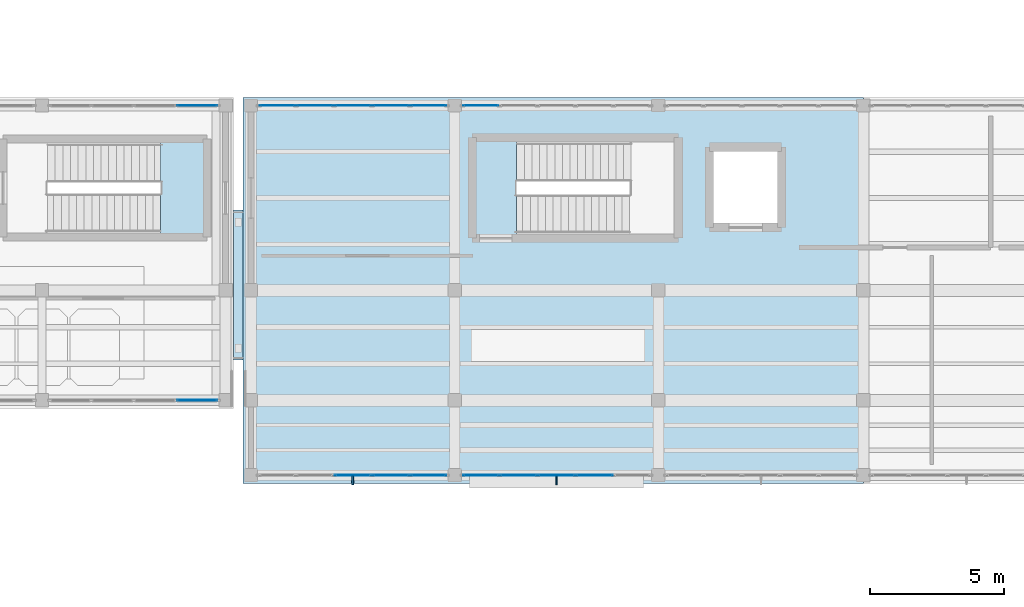
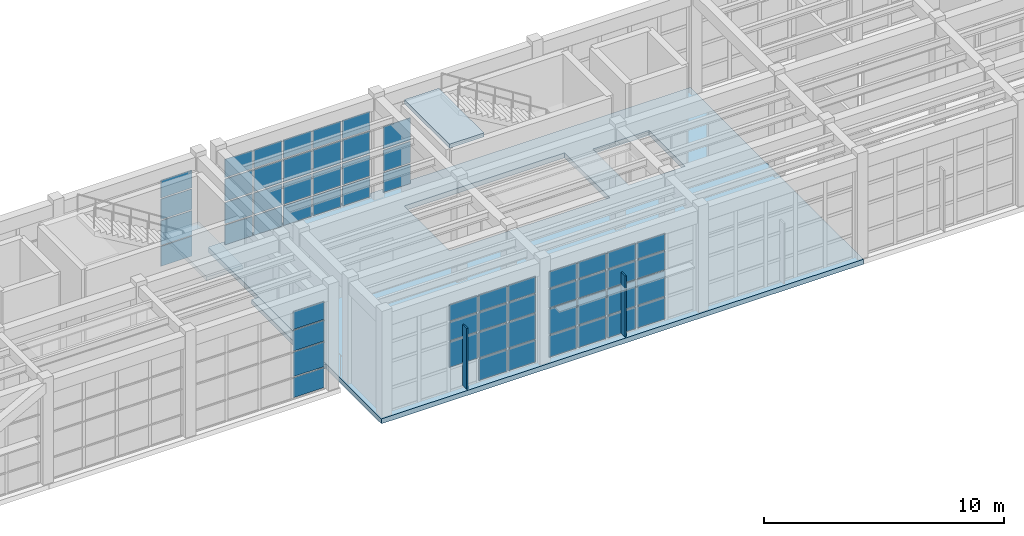
# One storey, part 69 of 103: 60 plates, 4 slabs, 8 elements without a shape of their own.
"""IFC4 building model written with IfcOpenShell, lengths in metres."""

from ifc_helpers import new_model, si_unit, direction, frame, origin, origin_2d, place, context, subcontext, project, spatial, polyline, rectangle, outline, extrude, material, layer, layer_set, type_object, element, aggregate, save


model = new_model("IFC4")

# Units and contexts
model_context = context("Model", 3, precision=1e-05, world=origin(), true_north=direction((0.0, 1.0)))
body_context = subcontext(model_context, "Body", "Model", "MODEL_VIEW")
ifc_project = project(units=[si_unit("LENGTHUNIT", "METRE"), si_unit("AREAUNIT", "SQUARE_METRE"), si_unit("VOLUMEUNIT", "CUBIC_METRE"), si_unit("PLANEANGLEUNIT", "RADIAN"), si_unit("MASSUNIT", "GRAM", prefix="KILO")], contexts=[model_context])

# Site, building, storey
site_placement = place(None, origin())
site = spatial("IfcSite", under=ifc_project, at=site_placement, CompositionType="ELEMENT")
building_placement = place(site_placement, origin())
building = spatial("IfcBuilding", under=site, at=building_placement, Name="Candilejo Ridge Gondola Terminal", CompositionType="ELEMENT")
storey_placement = place(building_placement, frame((0.0, 0.0, 9.0)))
storey = spatial("IfcBuildingStorey", under=building, at=storey_placement, Name="L02", CompositionType="ELEMENT", Elevation=9.0)

# Curtain wall, plates
ifc_material_1 = material(Name="Anodised aluminium AA 6063-T6", Category="aluminium")
ifc_layer_1 = layer(ifc_material_1, 0.169921875)
ifc_layer_set_1 = layer_set([ifc_layer_1], Name="ARC-CW-DRUM-3400-635X449")
curtain_wall_type_1 = type_object("IfcCurtainWallType", Name="ARC-CW-DRUM-3400-635X449", PredefinedType="NOTDEFINED", material=ifc_layer_set_1)
curtain_wall_1_placement = place(storey_placement, origin())
curtain_wall_1 = element("IfcCurtainWall", 1, at=curtain_wall_1_placement, inside=storey, type_object=curtain_wall_type_1, Name="Curtain wall V2 L02-056", PredefinedType="NOTDEFINED")
ifc_material_2 = material(Name="Low-E laminated double glazing 6+12A+6+1.52PVB+6 mm", Category="glass")
ifc_layer_2 = layer(ifc_material_2, 0.028076171875)
ifc_layer_set_2 = layer_set([ifc_layer_2], Name="ARC-CW-GLAZ-PANEL")
plate_type_1 = type_object("IfcPlateType", Name="ARC-CW-GLAZ-PANEL", PredefinedType="CURTAIN_PANEL", material=ifc_layer_set_2)
plate_1_placement = place(storey_placement, frame((84.989990234375, 36.699951171875, 0.06005859375), z_axis=(0.0, 0.0, 1.0), x_axis=(1.0, 0.0, 0.0)))
plate_1 = element("IfcPlate", 2, at=plate_1_placement, type_object=plate_type_1, Name="CW-63X44 panel 4.1", PredefinedType="CURTAIN_PANEL", context=body_context, shape_type="SweptSolid", body=[
    extrude(rectangle(XDim=1.489990234375, YDim=0.028076171875, at=origin_2d()), origin(), (0.0, 0.0, 1.0), 1.010009765625),
])
plate_2_placement = place(storey_placement, frame((84.989990234375, 36.699951171875, 1.1298828125), z_axis=(0.0, 0.0, 1.0), x_axis=(1.0, 0.0, 0.0)))
plate_2 = element("IfcPlate", 3, at=plate_2_placement, type_object=plate_type_1, Name="CW-63X44 panel 4.2", PredefinedType="CURTAIN_PANEL", context=body_context, shape_type="SweptSolid", body=[
    extrude(rectangle(XDim=1.489990234375, YDim=0.028076171875, at=origin_2d()), origin(), (0.0, 0.0, 1.0), 1.239990234375),
])
plate_3_placement = place(storey_placement, frame((84.989990234375, 36.699951171875, 2.429931640625), z_axis=(0.0, 0.0, 1.0), x_axis=(1.0, 0.0, 0.0)))
plate_3 = element("IfcPlate", 4, at=plate_3_placement, type_object=plate_type_1, Name="CW-63X44 panel 4.3", PredefinedType="CURTAIN_PANEL", context=body_context, shape_type="SweptSolid", body=[
    extrude(rectangle(XDim=1.489990234375, YDim=0.028076171875, at=origin_2d()), origin(), (0.0, 0.0, 1.0), 1.0400390625),
])
plate_4_placement = place(storey_placement, frame((84.989990234375, 36.699951171875, 3.530029296875), z_axis=(0.0, 0.0, 1.0), x_axis=(1.0, 0.0, 0.0)))
plate_4 = element("IfcPlate", 5, at=plate_4_placement, type_object=plate_type_1, Name="CW-63X44 panel 4.4", PredefinedType="CURTAIN_PANEL", context=body_context, shape_type="SweptSolid", body=[
    extrude(rectangle(XDim=1.489990234375, YDim=0.028076171875, at=origin_2d()), origin(), (0.0, 0.0, 1.0), 0.89990234375),
])
aggregate(curtain_wall_1, [plate_1, plate_2, plate_3, plate_4])

curtain_wall_2_placement = place(storey_placement, origin())
curtain_wall_2 = element("IfcCurtainWall", 6, at=curtain_wall_2_placement, inside=storey, type_object=curtain_wall_type_1, Name="Curtain wall V2 L02-057", PredefinedType="NOTDEFINED")
plate_5_placement = place(storey_placement, frame((84.989990234375, 25.699951171875, 0.06005859375), z_axis=(0.0, 0.0, 1.0), x_axis=(1.0, 0.0, 0.0)))
plate_5 = element("IfcPlate", 7, at=plate_5_placement, type_object=plate_type_1, Name="CW-63X44 panel 4.1", PredefinedType="CURTAIN_PANEL", context=body_context, shape_type="SweptSolid", body=[
    extrude(rectangle(XDim=1.489990234375, YDim=0.028076171875, at=origin_2d()), origin(), (0.0, 0.0, 1.0), 1.010009765625),
])
plate_6_placement = place(storey_placement, frame((84.989990234375, 25.699951171875, 1.1298828125), z_axis=(0.0, 0.0, 1.0), x_axis=(1.0, 0.0, 0.0)))
plate_6 = element("IfcPlate", 8, at=plate_6_placement, type_object=plate_type_1, Name="CW-63X44 panel 4.2", PredefinedType="CURTAIN_PANEL", context=body_context, shape_type="SweptSolid", body=[
    extrude(rectangle(XDim=1.489990234375, YDim=0.028076171875, at=origin_2d()), origin(), (0.0, 0.0, 1.0), 1.239990234375),
])
plate_7_placement = place(storey_placement, frame((84.989990234375, 25.699951171875, 2.429931640625), z_axis=(0.0, 0.0, 1.0), x_axis=(1.0, 0.0, 0.0)))
plate_7 = element("IfcPlate", 9, at=plate_7_placement, type_object=plate_type_1, Name="CW-63X44 panel 4.3", PredefinedType="CURTAIN_PANEL", context=body_context, shape_type="SweptSolid", body=[
    extrude(rectangle(XDim=1.489990234375, YDim=0.028076171875, at=origin_2d()), origin(), (0.0, 0.0, 1.0), 1.0400390625),
])
plate_8_placement = place(storey_placement, frame((84.989990234375, 25.699951171875, 3.530029296875), z_axis=(0.0, 0.0, 1.0), x_axis=(1.0, 0.0, 0.0)))
plate_8 = element("IfcPlate", 10, at=plate_8_placement, type_object=plate_type_1, Name="CW-63X44 panel 4.4", PredefinedType="CURTAIN_PANEL", context=body_context, shape_type="SweptSolid", body=[
    extrude(rectangle(XDim=1.489990234375, YDim=0.028076171875, at=origin_2d()), origin(), (0.0, 0.0, 1.0), 0.89990234375),
])
aggregate(curtain_wall_2, [plate_5, plate_6, plate_7, plate_8])

ifc_material_3 = material(Name="Anodised aluminium AA 6063-T6", Category="aluminium")
ifc_layer_3 = layer(ifc_material_3, 0.169921875)
ifc_layer_set_3 = layer_set([ifc_layer_3], Name="ARC-CW-GALLERY-3200-710X449")
curtain_wall_type_2 = type_object("IfcCurtainWallType", Name="ARC-CW-GALLERY-3200-710X449", PredefinedType="NOTDEFINED", material=ifc_layer_set_3)
curtain_wall_3_placement = place(storey_placement, origin())
curtain_wall_3 = element("IfcCurtainWall", 11, at=curtain_wall_3_placement, inside=storey, type_object=curtain_wall_type_2, Name="Curtain wall V3 L02-082", PredefinedType="NOTDEFINED")
plate_9_placement = place(storey_placement, frame((87.978759765625, 36.699951171875, 0.0751953125), z_axis=(0.0, 0.0, 1.0), x_axis=(1.0, 0.0, 0.0)))
plate_9 = element("IfcPlate", 12, at=plate_9_placement, type_object=plate_type_1, Name="CW-71X44 panel 1.1", PredefinedType="CURTAIN_PANEL", context=body_context, shape_type="SweptSolid", body=[
    extrude(rectangle(XDim=1.3076171875, YDim=0.028076171875, at=origin_2d()), origin(), (0.0, 0.0, 1.0), 0.987548828125),
])
plate_10_placement = place(storey_placement, frame((87.978759765625, 36.699951171875, 1.1376953125), z_axis=(0.0, 0.0, 1.0), x_axis=(1.0, 0.0, 0.0)))
plate_10 = element("IfcPlate", 13, at=plate_10_placement, type_object=plate_type_1, Name="CW-71X44 panel 1.2", PredefinedType="CURTAIN_PANEL", context=body_context, shape_type="SweptSolid", body=[
    extrude(rectangle(XDim=1.3076171875, YDim=0.028076171875, at=origin_2d()), origin(), (0.0, 0.0, 1.0), 1.074951171875),
])
plate_11_placement = place(storey_placement, frame((87.978759765625, 36.699951171875, 2.28759765625), z_axis=(0.0, 0.0, 1.0), x_axis=(1.0, 0.0, 0.0)))
plate_11 = element("IfcPlate", 14, at=plate_11_placement, type_object=plate_type_1, Name="CW-71X44 panel 1.3", PredefinedType="CURTAIN_PANEL", context=body_context, shape_type="SweptSolid", body=[
    extrude(rectangle(XDim=1.3076171875, YDim=0.028076171875, at=origin_2d()), origin(), (0.0, 0.0, 1.0), 1.125),
])
plate_12_placement = place(storey_placement, frame((87.978759765625, 36.699951171875, 3.4873046875), z_axis=(0.0, 0.0, 1.0), x_axis=(1.0, 0.0, 0.0)))
plate_12 = element("IfcPlate", 15, at=plate_12_placement, type_object=plate_type_1, Name="CW-71X44 panel 1.4", PredefinedType="CURTAIN_PANEL", context=body_context, shape_type="SweptSolid", body=[
    extrude(rectangle(XDim=1.3076171875, YDim=0.028076171875, at=origin_2d()), origin(), (0.0, 0.0, 1.0), 0.927490234375),
])
plate_13_placement = place(storey_placement, frame((89.3798828125, 36.699951171875, 0.0751953125), z_axis=(0.0, 0.0, 1.0), x_axis=(1.0, 0.0, 0.0)))
plate_13 = element("IfcPlate", 16, at=plate_13_placement, type_object=plate_type_1, Name="CW-71X44 panel 2.1", PredefinedType="CURTAIN_PANEL", context=body_context, shape_type="SweptSolid", body=[
    extrude(rectangle(XDim=1.344970703125, YDim=0.028076171875, at=origin_2d()), origin(), (0.0, 0.0, 1.0), 0.987548828125),
])
plate_14_placement = place(storey_placement, frame((89.3798828125, 36.699951171875, 1.1376953125), z_axis=(0.0, 0.0, 1.0), x_axis=(1.0, 0.0, 0.0)))
plate_14 = element("IfcPlate", 17, at=plate_14_placement, type_object=plate_type_1, Name="CW-71X44 panel 2.2", PredefinedType="CURTAIN_PANEL", context=body_context, shape_type="SweptSolid", body=[
    extrude(rectangle(XDim=1.344970703125, YDim=0.028076171875, at=origin_2d()), origin(), (0.0, 0.0, 1.0), 1.074951171875),
])
plate_15_placement = place(storey_placement, frame((89.3798828125, 36.699951171875, 2.28759765625), z_axis=(0.0, 0.0, 1.0), x_axis=(1.0, 0.0, 0.0)))
plate_15 = element("IfcPlate", 18, at=plate_15_placement, type_object=plate_type_1, Name="CW-71X44 panel 2.3", PredefinedType="CURTAIN_PANEL", context=body_context, shape_type="SweptSolid", body=[
    extrude(rectangle(XDim=1.344970703125, YDim=0.028076171875, at=origin_2d()), origin(), (0.0, 0.0, 1.0), 1.125),
])
plate_16_placement = place(storey_placement, frame((89.3798828125, 36.699951171875, 3.4873046875), z_axis=(0.0, 0.0, 1.0), x_axis=(1.0, 0.0, 0.0)))
plate_16 = element("IfcPlate", 19, at=plate_16_placement, type_object=plate_type_1, Name="CW-71X44 panel 2.4", PredefinedType="CURTAIN_PANEL", context=body_context, shape_type="SweptSolid", body=[
    extrude(rectangle(XDim=1.344970703125, YDim=0.028076171875, at=origin_2d()), origin(), (0.0, 0.0, 1.0), 0.927490234375),
])
plate_17_placement = place(storey_placement, frame((90.800048828125, 36.699951171875, 0.0751953125), z_axis=(0.0, 0.0, 1.0), x_axis=(1.0, 0.0, 0.0)))
plate_17 = element("IfcPlate", 20, at=plate_17_placement, type_object=plate_type_1, Name="CW-71X44 panel 3.1", PredefinedType="CURTAIN_PANEL", context=body_context, shape_type="SweptSolid", body=[
    extrude(rectangle(XDim=1.344970703125, YDim=0.028076171875, at=origin_2d()), origin(), (0.0, 0.0, 1.0), 0.987548828125),
])
plate_18_placement = place(storey_placement, frame((90.800048828125, 36.699951171875, 1.1376953125), z_axis=(0.0, 0.0, 1.0), x_axis=(1.0, 0.0, 0.0)))
plate_18 = element("IfcPlate", 21, at=plate_18_placement, type_object=plate_type_1, Name="CW-71X44 panel 3.2", PredefinedType="CURTAIN_PANEL", context=body_context, shape_type="SweptSolid", body=[
    extrude(rectangle(XDim=1.344970703125, YDim=0.028076171875, at=origin_2d()), origin(), (0.0, 0.0, 1.0), 1.074951171875),
])
plate_19_placement = place(storey_placement, frame((90.800048828125, 36.699951171875, 2.28759765625), z_axis=(0.0, 0.0, 1.0), x_axis=(1.0, 0.0, 0.0)))
plate_19 = element("IfcPlate", 22, at=plate_19_placement, type_object=plate_type_1, Name="CW-71X44 panel 3.3", PredefinedType="CURTAIN_PANEL", context=body_context, shape_type="SweptSolid", body=[
    extrude(rectangle(XDim=1.344970703125, YDim=0.028076171875, at=origin_2d()), origin(), (0.0, 0.0, 1.0), 1.125),
])
plate_20_placement = place(storey_placement, frame((90.800048828125, 36.699951171875, 3.4873046875), z_axis=(0.0, 0.0, 1.0), x_axis=(1.0, 0.0, 0.0)))
plate_20 = element("IfcPlate", 23, at=plate_20_placement, type_object=plate_type_1, Name="CW-71X44 panel 3.4", PredefinedType="CURTAIN_PANEL", context=body_context, shape_type="SweptSolid", body=[
    extrude(rectangle(XDim=1.344970703125, YDim=0.028076171875, at=origin_2d()), origin(), (0.0, 0.0, 1.0), 0.927490234375),
])
plate_21_placement = place(storey_placement, frame((92.219970703125, 36.699951171875, 0.0751953125), z_axis=(0.0, 0.0, 1.0), x_axis=(1.0, 0.0, 0.0)))
plate_21 = element("IfcPlate", 24, at=plate_21_placement, type_object=plate_type_1, Name="CW-71X44 panel 4.1", PredefinedType="CURTAIN_PANEL", context=body_context, shape_type="SweptSolid", body=[
    extrude(rectangle(XDim=1.344970703125, YDim=0.028076171875, at=origin_2d()), origin(), (0.0, 0.0, 1.0), 0.987548828125),
])
plate_22_placement = place(storey_placement, frame((92.219970703125, 36.699951171875, 1.1376953125), z_axis=(0.0, 0.0, 1.0), x_axis=(1.0, 0.0, 0.0)))
plate_22 = element("IfcPlate", 25, at=plate_22_placement, type_object=plate_type_1, Name="CW-71X44 panel 4.2", PredefinedType="CURTAIN_PANEL", context=body_context, shape_type="SweptSolid", body=[
    extrude(rectangle(XDim=1.344970703125, YDim=0.028076171875, at=origin_2d()), origin(), (0.0, 0.0, 1.0), 1.074951171875),
])
plate_23_placement = place(storey_placement, frame((92.219970703125, 36.699951171875, 2.28759765625), z_axis=(0.0, 0.0, 1.0), x_axis=(1.0, 0.0, 0.0)))
plate_23 = element("IfcPlate", 26, at=plate_23_placement, type_object=plate_type_1, Name="CW-71X44 panel 4.3", PredefinedType="CURTAIN_PANEL", context=body_context, shape_type="SweptSolid", body=[
    extrude(rectangle(XDim=1.344970703125, YDim=0.028076171875, at=origin_2d()), origin(), (0.0, 0.0, 1.0), 1.125),
])
plate_24_placement = place(storey_placement, frame((92.219970703125, 36.699951171875, 3.4873046875), z_axis=(0.0, 0.0, 1.0), x_axis=(1.0, 0.0, 0.0)))
plate_24 = element("IfcPlate", 27, at=plate_24_placement, type_object=plate_type_1, Name="CW-71X44 panel 4.4", PredefinedType="CURTAIN_PANEL", context=body_context, shape_type="SweptSolid", body=[
    extrude(rectangle(XDim=1.344970703125, YDim=0.028076171875, at=origin_2d()), origin(), (0.0, 0.0, 1.0), 0.927490234375),
])
plate_25_placement = place(storey_placement, frame((93.621337890625, 36.699951171875, 0.0751953125), z_axis=(0.0, 0.0, 1.0), x_axis=(1.0, 0.0, 0.0)))
plate_25 = element("IfcPlate", 28, at=plate_25_placement, type_object=plate_type_1, Name="CW-71X44 panel 5.1", PredefinedType="CURTAIN_PANEL", context=body_context, shape_type="SweptSolid", body=[
    extrude(rectangle(XDim=1.3076171875, YDim=0.028076171875, at=origin_2d()), origin(), (0.0, 0.0, 1.0), 0.987548828125),
])
plate_26_placement = place(storey_placement, frame((93.621337890625, 36.699951171875, 1.1376953125), z_axis=(0.0, 0.0, 1.0), x_axis=(1.0, 0.0, 0.0)))
plate_26 = element("IfcPlate", 29, at=plate_26_placement, type_object=plate_type_1, Name="CW-71X44 panel 5.2", PredefinedType="CURTAIN_PANEL", context=body_context, shape_type="SweptSolid", body=[
    extrude(rectangle(XDim=1.3076171875, YDim=0.028076171875, at=origin_2d()), origin(), (0.0, 0.0, 1.0), 1.074951171875),
])
plate_27_placement = place(storey_placement, frame((93.621337890625, 36.699951171875, 2.28759765625), z_axis=(0.0, 0.0, 1.0), x_axis=(1.0, 0.0, 0.0)))
plate_27 = element("IfcPlate", 30, at=plate_27_placement, type_object=plate_type_1, Name="CW-71X44 panel 5.3", PredefinedType="CURTAIN_PANEL", context=body_context, shape_type="SweptSolid", body=[
    extrude(rectangle(XDim=1.3076171875, YDim=0.028076171875, at=origin_2d()), origin(), (0.0, 0.0, 1.0), 1.125),
])
plate_28_placement = place(storey_placement, frame((93.621337890625, 36.699951171875, 3.4873046875), z_axis=(0.0, 0.0, 1.0), x_axis=(1.0, 0.0, 0.0)))
plate_28 = element("IfcPlate", 31, at=plate_28_placement, type_object=plate_type_1, Name="CW-71X44 panel 5.4", PredefinedType="CURTAIN_PANEL", context=body_context, shape_type="SweptSolid", body=[
    extrude(rectangle(XDim=1.3076171875, YDim=0.028076171875, at=origin_2d()), origin(), (0.0, 0.0, 1.0), 0.927490234375),
])
aggregate(curtain_wall_3, [plate_9, plate_10, plate_11, plate_12, plate_13, plate_14, plate_15, plate_16, plate_17, plate_18, plate_19, plate_20, plate_21, plate_22, plate_23, plate_24, plate_25, plate_26, plate_27, plate_28])

ifc_material_4 = material(Name="Anodised aluminium AA 6063-T6", Category="aluminium")
ifc_layer_4 = layer(ifc_material_4, 0.169921875)
ifc_layer_set_4 = layer_set([ifc_layer_4], Name="ARC-CW-CONCOURSE-3600-710X449")
curtain_wall_type_3 = type_object("IfcCurtainWallType", Name="ARC-CW-CONCOURSE-3600-710X449", PredefinedType="NOTDEFINED", material=ifc_layer_set_4)
curtain_wall_4_placement = place(storey_placement, origin())
curtain_wall_4 = element("IfcCurtainWall", 32, at=curtain_wall_4_placement, inside=storey, type_object=curtain_wall_type_3, Name="Curtain wall V3 L02-083", PredefinedType="NOTDEFINED")
plate_29_placement = place(storey_placement, frame((90.800048828125, 22.89990234375, 1.237548828125), z_axis=(0.0, 0.0, 1.0), x_axis=(1.0, 0.0, 0.0)))
plate_29 = element("IfcPlate", 33, at=plate_29_placement, type_object=plate_type_1, Name="CW-71X44 panel 3.2", PredefinedType="CURTAIN_PANEL", context=body_context, shape_type="SweptSolid", body=[
    extrude(rectangle(XDim=1.344970703125, YDim=0.028076171875, at=origin_2d()), origin(), (0.0, 0.0, 1.0), 1.27490234375),
])
plate_30_placement = place(storey_placement, frame((90.800048828125, 22.89990234375, 2.58740234375), z_axis=(0.0, 0.0, 1.0), x_axis=(1.0, 0.0, 0.0)))
plate_30 = element("IfcPlate", 34, at=plate_30_placement, type_object=plate_type_1, Name="CW-71X44 panel 3.3", PredefinedType="CURTAIN_PANEL", context=body_context, shape_type="SweptSolid", body=[
    extrude(rectangle(XDim=1.344970703125, YDim=0.028076171875, at=origin_2d()), origin(), (0.0, 0.0, 1.0), 0.925048828125),
])
plate_31_placement = place(storey_placement, frame((90.800048828125, 22.89990234375, 3.58740234375), z_axis=(0.0, 0.0, 1.0), x_axis=(1.0, 0.0, 0.0)))
plate_31 = element("IfcPlate", 35, at=plate_31_placement, type_object=plate_type_1, Name="CW-71X44 panel 3.4", PredefinedType="CURTAIN_PANEL", context=body_context, shape_type="SweptSolid", body=[
    extrude(rectangle(XDim=1.344970703125, YDim=0.028076171875, at=origin_2d()), origin(), (0.0, 0.0, 1.0), 0.827392578125),
])
plate_32_placement = place(storey_placement, frame((92.219970703125, 22.89990234375, 0.074951171875), z_axis=(0.0, 0.0, 1.0), x_axis=(1.0, 0.0, 0.0)))
plate_32 = element("IfcPlate", 36, at=plate_32_placement, type_object=plate_type_1, Name="CW-71X44 panel 4.1", PredefinedType="CURTAIN_PANEL", context=body_context, shape_type="SweptSolid", body=[
    extrude(rectangle(XDim=1.344970703125, YDim=0.028076171875, at=origin_2d()), origin(), (0.0, 0.0, 1.0), 1.08740234375),
])
plate_33_placement = place(storey_placement, frame((92.219970703125, 22.89990234375, 1.237548828125), z_axis=(0.0, 0.0, 1.0), x_axis=(1.0, 0.0, 0.0)))
plate_33 = element("IfcPlate", 37, at=plate_33_placement, type_object=plate_type_1, Name="CW-71X44 panel 4.2", PredefinedType="CURTAIN_PANEL", context=body_context, shape_type="SweptSolid", body=[
    extrude(rectangle(XDim=1.344970703125, YDim=0.028076171875, at=origin_2d()), origin(), (0.0, 0.0, 1.0), 1.27490234375),
])
plate_34_placement = place(storey_placement, frame((92.219970703125, 22.89990234375, 2.58740234375), z_axis=(0.0, 0.0, 1.0), x_axis=(1.0, 0.0, 0.0)))
plate_34 = element("IfcPlate", 38, at=plate_34_placement, type_object=plate_type_1, Name="CW-71X44 panel 4.3", PredefinedType="CURTAIN_PANEL", context=body_context, shape_type="SweptSolid", body=[
    extrude(rectangle(XDim=1.344970703125, YDim=0.028076171875, at=origin_2d()), origin(), (0.0, 0.0, 1.0), 0.925048828125),
])
plate_35_placement = place(storey_placement, frame((92.219970703125, 22.89990234375, 3.58740234375), z_axis=(0.0, 0.0, 1.0), x_axis=(1.0, 0.0, 0.0)))
plate_35 = element("IfcPlate", 39, at=plate_35_placement, type_object=plate_type_1, Name="CW-71X44 panel 4.4", PredefinedType="CURTAIN_PANEL", context=body_context, shape_type="SweptSolid", body=[
    extrude(rectangle(XDim=1.344970703125, YDim=0.028076171875, at=origin_2d()), origin(), (0.0, 0.0, 1.0), 0.827392578125),
])
plate_36_placement = place(storey_placement, frame((93.621337890625, 22.89990234375, 0.074951171875), z_axis=(0.0, 0.0, 1.0), x_axis=(1.0, 0.0, 0.0)))
plate_36 = element("IfcPlate", 40, at=plate_36_placement, type_object=plate_type_1, Name="CW-71X44 panel 5.1", PredefinedType="CURTAIN_PANEL", context=body_context, shape_type="SweptSolid", body=[
    extrude(rectangle(XDim=1.3076171875, YDim=0.028076171875, at=origin_2d()), origin(), (0.0, 0.0, 1.0), 1.08740234375),
])
plate_37_placement = place(storey_placement, frame((93.621337890625, 22.89990234375, 1.237548828125), z_axis=(0.0, 0.0, 1.0), x_axis=(1.0, 0.0, 0.0)))
plate_37 = element("IfcPlate", 41, at=plate_37_placement, type_object=plate_type_1, Name="CW-71X44 panel 5.2", PredefinedType="CURTAIN_PANEL", context=body_context, shape_type="SweptSolid", body=[
    extrude(rectangle(XDim=1.3076171875, YDim=0.028076171875, at=origin_2d()), origin(), (0.0, 0.0, 1.0), 1.27490234375),
])
plate_38_placement = place(storey_placement, frame((93.621337890625, 22.89990234375, 2.58740234375), z_axis=(0.0, 0.0, 1.0), x_axis=(1.0, 0.0, 0.0)))
plate_38 = element("IfcPlate", 42, at=plate_38_placement, type_object=plate_type_1, Name="CW-71X44 panel 5.3", PredefinedType="CURTAIN_PANEL", context=body_context, shape_type="SweptSolid", body=[
    extrude(rectangle(XDim=1.3076171875, YDim=0.028076171875, at=origin_2d()), origin(), (0.0, 0.0, 1.0), 0.925048828125),
])
plate_39_placement = place(storey_placement, frame((93.621337890625, 22.89990234375, 3.58740234375), z_axis=(0.0, 0.0, 1.0), x_axis=(1.0, 0.0, 0.0)))
plate_39 = element("IfcPlate", 43, at=plate_39_placement, type_object=plate_type_1, Name="CW-71X44 panel 5.4", PredefinedType="CURTAIN_PANEL", context=body_context, shape_type="SweptSolid", body=[
    extrude(rectangle(XDim=1.3076171875, YDim=0.028076171875, at=origin_2d()), origin(), (0.0, 0.0, 1.0), 0.827392578125),
])
aggregate(curtain_wall_4, [plate_29, plate_30, plate_31, plate_32, plate_33, plate_34, plate_35, plate_36, plate_37, plate_38, plate_39])

curtain_wall_5_placement = place(storey_placement, origin())
curtain_wall_5 = element("IfcCurtainWall", 44, at=curtain_wall_5_placement, inside=storey, type_object=curtain_wall_type_2, Name="Curtain wall V3 L02-084", PredefinedType="NOTDEFINED")
plate_40_placement = place(storey_placement, frame((95.578857421875, 36.699951171875, 0.0751953125), z_axis=(0.0, 0.0, 1.0), x_axis=(1.0, 0.0, 0.0)))
plate_40 = element("IfcPlate", 45, at=plate_40_placement, type_object=plate_type_1, Name="CW-71X44 panel 1.1", PredefinedType="CURTAIN_PANEL", context=body_context, shape_type="SweptSolid", body=[
    extrude(rectangle(XDim=1.3076171875, YDim=0.028076171875, at=origin_2d()), origin(), (0.0, 0.0, 1.0), 0.987548828125),
])
plate_41_placement = place(storey_placement, frame((95.578857421875, 36.699951171875, 1.1376953125), z_axis=(0.0, 0.0, 1.0), x_axis=(1.0, 0.0, 0.0)))
plate_41 = element("IfcPlate", 46, at=plate_41_placement, type_object=plate_type_1, Name="CW-71X44 panel 1.2", PredefinedType="CURTAIN_PANEL", context=body_context, shape_type="SweptSolid", body=[
    extrude(rectangle(XDim=1.3076171875, YDim=0.028076171875, at=origin_2d()), origin(), (0.0, 0.0, 1.0), 1.074951171875),
])
plate_42_placement = place(storey_placement, frame((95.578857421875, 36.699951171875, 2.28759765625), z_axis=(0.0, 0.0, 1.0), x_axis=(1.0, 0.0, 0.0)))
plate_42 = element("IfcPlate", 47, at=plate_42_placement, type_object=plate_type_1, Name="CW-71X44 panel 1.3", PredefinedType="CURTAIN_PANEL", context=body_context, shape_type="SweptSolid", body=[
    extrude(rectangle(XDim=1.3076171875, YDim=0.028076171875, at=origin_2d()), origin(), (0.0, 0.0, 1.0), 1.125),
])
aggregate(curtain_wall_5, [plate_40, plate_41, plate_42])

curtain_wall_6_placement = place(storey_placement, origin())
curtain_wall_6 = element("IfcCurtainWall", 48, at=curtain_wall_6_placement, inside=storey, type_object=curtain_wall_type_3, Name="Curtain wall V3 L02-085", PredefinedType="NOTDEFINED")
plate_43_placement = place(storey_placement, frame((95.578857421875, 22.89990234375, 0.074951171875), z_axis=(0.0, 0.0, 1.0), x_axis=(1.0, 0.0, 0.0)))
plate_43 = element("IfcPlate", 49, at=plate_43_placement, type_object=plate_type_1, Name="CW-71X44 panel 1.1", PredefinedType="CURTAIN_PANEL", context=body_context, shape_type="SweptSolid", body=[
    extrude(rectangle(XDim=1.3076171875, YDim=0.028076171875, at=origin_2d()), origin(), (0.0, 0.0, 1.0), 1.08740234375),
])
plate_44_placement = place(storey_placement, frame((95.578857421875, 22.89990234375, 1.237548828125), z_axis=(0.0, 0.0, 1.0), x_axis=(1.0, 0.0, 0.0)))
plate_44 = element("IfcPlate", 50, at=plate_44_placement, type_object=plate_type_1, Name="CW-71X44 panel 1.2", PredefinedType="CURTAIN_PANEL", context=body_context, shape_type="SweptSolid", body=[
    extrude(rectangle(XDim=1.3076171875, YDim=0.028076171875, at=origin_2d()), origin(), (0.0, 0.0, 1.0), 1.27490234375),
])
plate_45_placement = place(storey_placement, frame((95.578857421875, 22.89990234375, 2.58740234375), z_axis=(0.0, 0.0, 1.0), x_axis=(1.0, 0.0, 0.0)))
plate_45 = element("IfcPlate", 51, at=plate_45_placement, type_object=plate_type_1, Name="CW-71X44 panel 1.3", PredefinedType="CURTAIN_PANEL", context=body_context, shape_type="SweptSolid", body=[
    extrude(rectangle(XDim=1.3076171875, YDim=0.028076171875, at=origin_2d()), origin(), (0.0, 0.0, 1.0), 0.925048828125),
])
plate_46_placement = place(storey_placement, frame((95.578857421875, 22.89990234375, 3.58740234375), z_axis=(0.0, 0.0, 1.0), x_axis=(1.0, 0.0, 0.0)))
plate_46 = element("IfcPlate", 52, at=plate_46_placement, type_object=plate_type_1, Name="CW-71X44 panel 1.4", PredefinedType="CURTAIN_PANEL", context=body_context, shape_type="SweptSolid", body=[
    extrude(rectangle(XDim=1.3076171875, YDim=0.028076171875, at=origin_2d()), origin(), (0.0, 0.0, 1.0), 0.827392578125),
])
plate_47_placement = place(storey_placement, frame((96.97998046875, 22.89990234375, 0.074951171875), z_axis=(0.0, 0.0, 1.0), x_axis=(1.0, 0.0, 0.0)))
plate_47 = element("IfcPlate", 53, at=plate_47_placement, type_object=plate_type_1, Name="CW-71X44 panel 2.1", PredefinedType="CURTAIN_PANEL", context=body_context, shape_type="SweptSolid", body=[
    extrude(rectangle(XDim=1.344970703125, YDim=0.028076171875, at=origin_2d()), origin(), (0.0, 0.0, 1.0), 1.08740234375),
])
plate_48_placement = place(storey_placement, frame((96.97998046875, 22.89990234375, 1.237548828125), z_axis=(0.0, 0.0, 1.0), x_axis=(1.0, 0.0, 0.0)))
plate_48 = element("IfcPlate", 54, at=plate_48_placement, type_object=plate_type_1, Name="CW-71X44 panel 2.2", PredefinedType="CURTAIN_PANEL", context=body_context, shape_type="SweptSolid", body=[
    extrude(rectangle(XDim=1.344970703125, YDim=0.028076171875, at=origin_2d()), origin(), (0.0, 0.0, 1.0), 1.27490234375),
])
plate_49_placement = place(storey_placement, frame((96.97998046875, 22.89990234375, 2.58740234375), z_axis=(0.0, 0.0, 1.0), x_axis=(1.0, 0.0, 0.0)))
plate_49 = element("IfcPlate", 55, at=plate_49_placement, type_object=plate_type_1, Name="CW-71X44 panel 2.3", PredefinedType="CURTAIN_PANEL", context=body_context, shape_type="SweptSolid", body=[
    extrude(rectangle(XDim=1.344970703125, YDim=0.028076171875, at=origin_2d()), origin(), (0.0, 0.0, 1.0), 0.925048828125),
])
plate_50_placement = place(storey_placement, frame((96.97998046875, 22.89990234375, 3.58740234375), z_axis=(0.0, 0.0, 1.0), x_axis=(1.0, 0.0, 0.0)))
plate_50 = element("IfcPlate", 56, at=plate_50_placement, type_object=plate_type_1, Name="CW-71X44 panel 2.4", PredefinedType="CURTAIN_PANEL", context=body_context, shape_type="SweptSolid", body=[
    extrude(rectangle(XDim=1.344970703125, YDim=0.028076171875, at=origin_2d()), origin(), (0.0, 0.0, 1.0), 0.827392578125),
])
plate_51_placement = place(storey_placement, frame((98.39990234375, 22.89990234375, 0.074951171875), z_axis=(0.0, 0.0, 1.0), x_axis=(1.0, 0.0, 0.0)))
plate_51 = element("IfcPlate", 57, at=plate_51_placement, type_object=plate_type_1, Name="CW-71X44 panel 3.1", PredefinedType="CURTAIN_PANEL", context=body_context, shape_type="SweptSolid", body=[
    extrude(rectangle(XDim=1.344970703125, YDim=0.028076171875, at=origin_2d()), origin(), (0.0, 0.0, 1.0), 1.08740234375),
])
plate_52_placement = place(storey_placement, frame((98.39990234375, 22.89990234375, 1.237548828125), z_axis=(0.0, 0.0, 1.0), x_axis=(1.0, 0.0, 0.0)))
plate_52 = element("IfcPlate", 58, at=plate_52_placement, type_object=plate_type_1, Name="CW-71X44 panel 3.2", PredefinedType="CURTAIN_PANEL", context=body_context, shape_type="SweptSolid", body=[
    extrude(rectangle(XDim=1.344970703125, YDim=0.028076171875, at=origin_2d()), origin(), (0.0, 0.0, 1.0), 1.27490234375),
])
plate_53_placement = place(storey_placement, frame((98.39990234375, 22.89990234375, 2.58740234375), z_axis=(0.0, 0.0, 1.0), x_axis=(1.0, 0.0, 0.0)))
plate_53 = element("IfcPlate", 59, at=plate_53_placement, type_object=plate_type_1, Name="CW-71X44 panel 3.3", PredefinedType="CURTAIN_PANEL", context=body_context, shape_type="SweptSolid", body=[
    extrude(rectangle(XDim=1.344970703125, YDim=0.028076171875, at=origin_2d()), origin(), (0.0, 0.0, 1.0), 0.925048828125),
])
plate_54_placement = place(storey_placement, frame((98.39990234375, 22.89990234375, 3.58740234375), z_axis=(0.0, 0.0, 1.0), x_axis=(1.0, 0.0, 0.0)))
plate_54 = element("IfcPlate", 60, at=plate_54_placement, type_object=plate_type_1, Name="CW-71X44 panel 3.4", PredefinedType="CURTAIN_PANEL", context=body_context, shape_type="SweptSolid", body=[
    extrude(rectangle(XDim=1.344970703125, YDim=0.028076171875, at=origin_2d()), origin(), (0.0, 0.0, 1.0), 0.827392578125),
])
plate_55_placement = place(storey_placement, frame((99.820068359375, 22.89990234375, 0.074951171875), z_axis=(0.0, 0.0, 1.0), x_axis=(1.0, 0.0, 0.0)))
plate_55 = element("IfcPlate", 61, at=plate_55_placement, type_object=plate_type_1, Name="CW-71X44 panel 4.1", PredefinedType="CURTAIN_PANEL", context=body_context, shape_type="SweptSolid", body=[
    extrude(rectangle(XDim=1.344970703125, YDim=0.028076171875, at=origin_2d()), origin(), (0.0, 0.0, 1.0), 1.08740234375),
])
plate_56_placement = place(storey_placement, frame((99.820068359375, 22.89990234375, 1.237548828125), z_axis=(0.0, 0.0, 1.0), x_axis=(1.0, 0.0, 0.0)))
plate_56 = element("IfcPlate", 62, at=plate_56_placement, type_object=plate_type_1, Name="CW-71X44 panel 4.2", PredefinedType="CURTAIN_PANEL", context=body_context, shape_type="SweptSolid", body=[
    extrude(rectangle(XDim=1.344970703125, YDim=0.028076171875, at=origin_2d()), origin(), (0.0, 0.0, 1.0), 1.27490234375),
])
plate_57_placement = place(storey_placement, frame((99.820068359375, 22.89990234375, 2.58740234375), z_axis=(0.0, 0.0, 1.0), x_axis=(1.0, 0.0, 0.0)))
plate_57 = element("IfcPlate", 63, at=plate_57_placement, type_object=plate_type_1, Name="CW-71X44 panel 4.3", PredefinedType="CURTAIN_PANEL", context=body_context, shape_type="SweptSolid", body=[
    extrude(rectangle(XDim=1.344970703125, YDim=0.028076171875, at=origin_2d()), origin(), (0.0, 0.0, 1.0), 0.925048828125),
])
plate_58_placement = place(storey_placement, frame((99.820068359375, 22.89990234375, 3.58740234375), z_axis=(0.0, 0.0, 1.0), x_axis=(1.0, 0.0, 0.0)))
plate_58 = element("IfcPlate", 64, at=plate_58_placement, type_object=plate_type_1, Name="CW-71X44 panel 4.4", PredefinedType="CURTAIN_PANEL", context=body_context, shape_type="SweptSolid", body=[
    extrude(rectangle(XDim=1.344970703125, YDim=0.028076171875, at=origin_2d()), origin(), (0.0, 0.0, 1.0), 0.827392578125),
])
aggregate(curtain_wall_6, [plate_43, plate_44, plate_45, plate_46, plate_47, plate_48, plate_49, plate_50, plate_51, plate_52, plate_53, plate_54, plate_55, plate_56, plate_57, plate_58])

# Plates
ifc_material_5 = material(Name="Extruded architectural terracotta fin", Category="masonry")
plate_type_2 = type_object("IfcPlateType", Name="ARC-SOLAR-FIN-340", PredefinedType="USERDEFINED", material=ifc_material_5)
for number, where, z_axis, x_axis, name in (
    (65, (90.800048828125, 22.716064453125, 0.099853515625), (0.0, 0.0, 1.0), (1.0, 0.0, 0.0), "Terracotta solar fin V3-24"),
    (66, (98.39990234375, 22.716064453125, 0.099853515625), (0.0, 0.0, 1.0), (1.0, 0.0, 0.0), "Terracotta solar fin V3-25"),
):
    element("IfcPlate", number, at=place(storey_placement, frame(where, z_axis=z_axis, x_axis=x_axis)), inside=storey, type_object=plate_type_2, Name=name, ObjectType="SOLAR FIN", PredefinedType="USERDEFINED", context=body_context, shape_type="SweptSolid", body=[
        extrude(rectangle(XDim=0.06494140625, YDim=0.340087890625, at=origin_2d()), origin(), (0.0, 0.0, 1.0), 3.10009765625),
    ])

# Slabs
ifc_material_6 = material(Name="Concrete f'c 35 MPa (C35/45)", Category="concrete")
ifc_layer_5 = layer(ifc_material_6, 0.219970703125)
ifc_layer_set_5 = layer_set([ifc_layer_5], Name="STR-BRIDGE-SLAB-220")
slab_type_1 = type_object("IfcSlabType", Name="STR-BRIDGE-SLAB-220", PredefinedType="FLOOR", material=ifc_layer_set_5)
slab_1_placement = place(storey_placement, frame((0.0, 0.0, -0.219970703125)))
element("IfcSlab", 67, at=slab_1_placement, inside=storey, type_object=slab_type_1, Name="Slab SLB-LB-SJ2-L02", PredefinedType="FLOOR", context=body_context, shape_type="SweptSolid", body=[
    extrude(outline(polyline([(86.35009765625, 27.199951171875), (86.699951171875, 27.199951171875), (86.699951171875, 32.800048828125), (86.35009765625, 32.800048828125), (86.35009765625, 27.199951171875)])), origin(), (0.0, 0.0, 1.0), 0.219970703125),
])
ifc_material_7 = material(Name="Concrete f'c 35 MPa (C35/45)", Category="concrete")
ifc_layer_6 = layer(ifc_material_7, 0.25)
ifc_layer_set_6 = layer_set([ifc_layer_6], Name="STR-FLOOR-SLAB-250")
slab_type_2 = type_object("IfcSlabType", Name="STR-FLOOR-SLAB-250", PredefinedType="FLOOR", material=ifc_layer_set_6)
slab_2_placement = place(storey_placement, frame((0.0, 0.0, -0.25)))
element("IfcSlab", 68, at=slab_2_placement, inside=storey, type_object=slab_type_2, Name="Slab SLB-V3-L02-W", PredefinedType="FLOOR", context=body_context, shape_type="SweptSolid", body=[
    extrude(outline(polyline([(86.699951171875, 22.60009765625), (109.85009765625, 22.60009765625), (109.85009765625, 37.0), (86.699951171875, 37.0), (86.699951171875, 22.60009765625)]), holes=[polyline([(95.25, 31.75), (102.949951171875, 31.75), (102.949951171875, 35.5), (95.25, 35.5), (95.25, 31.75)]), polyline([(104.10009765625, 32.14990234375), (106.800048828125, 32.14990234375), (106.800048828125, 35.14990234375), (104.10009765625, 35.14990234375), (104.10009765625, 32.14990234375)])]), origin(), (0.0, 0.0, 1.0), 0.25),
])

# Stair, slab
ifc_material_8 = material(Name="Concrete f'c 35 MPa (C35/45)", Category="concrete")
stair_type = type_object("IfcStairType", Name="STR-STAIR-1450-5400", PredefinedType="HALF_TURN_STAIR", material=ifc_material_8)
stair_1_placement = place(storey_placement, origin())
stair_1 = element("IfcStair", 69, at=stair_1_placement, inside=storey, type_object=stair_type, Name="Enclosed fire exit stair ST-V2B-L02", PredefinedType="HALF_TURN_STAIR")
ifc_material_9 = material(Name="Concrete f'c 35 MPa (C35/45)", Category="concrete")
ifc_layer_7 = layer(ifc_material_9, 0.199951171875)
ifc_layer_set_7 = layer_set([ifc_layer_7], Name="STR-STAIR-LANDING-200")
slab_type_3 = type_object("IfcSlabType", Name="STR-STAIR-LANDING-200", PredefinedType="LANDING", material=ifc_layer_set_7)
slab_3_placement = place(storey_placement, frame((0.0, 0.0, 2.5)))
slab_3 = element("IfcSlab", 70, at=slab_3_placement, type_object=slab_type_3, Name="Stair half-landing ST-V2B-LND-03", PredefinedType="LANDING", context=body_context, shape_type="SweptSolid", body=[
    extrude(outline(polyline([(83.625, 31.800048828125), (85.35009765625, 31.800048828125), (85.35009765625, 35.449951171875), (83.625, 35.449951171875), (83.625, 31.800048828125)])), origin(), (0.0, 0.0, 1.0), 0.199951171875),
])
aggregate(stair_1, [slab_3])

stair_2_placement = place(storey_placement, origin())
stair_2 = element("IfcStair", 71, at=stair_2_placement, inside=storey, type_object=stair_type, Name="Enclosed fire exit stair ST-V3A-L02", PredefinedType="HALF_TURN_STAIR")
slab_4_placement = place(storey_placement, frame((0.0, 0.0, 5.199951171875)))
slab_4 = element("IfcSlab", 72, at=slab_4_placement, type_object=slab_type_3, Name="Stair floor landing ST-V3A-L02-ARR-L03", PredefinedType="LANDING", context=body_context, shape_type="SweptSolid", body=[
    extrude(outline(polyline([(95.25, 31.75), (96.909912109375, 31.75), (96.909912109375, 35.5), (95.25, 35.5), (95.25, 31.75)])), origin(), (0.0, 0.0, 1.0), 0.199951171875),
])
aggregate(stair_2, [slab_4])

save(model, "model.ifc")
